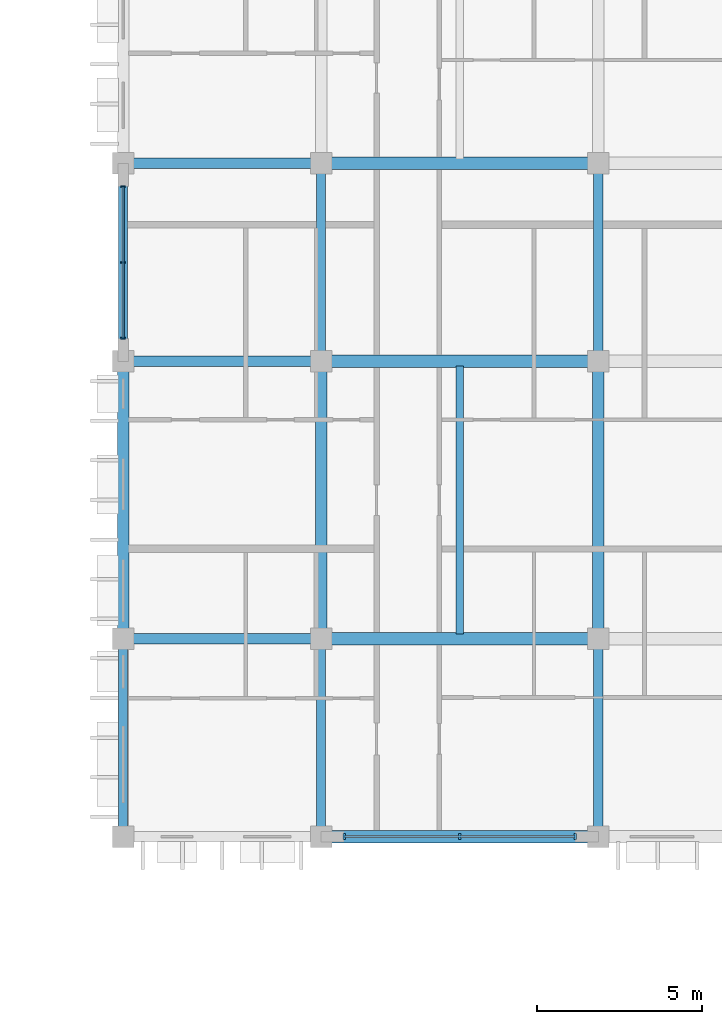
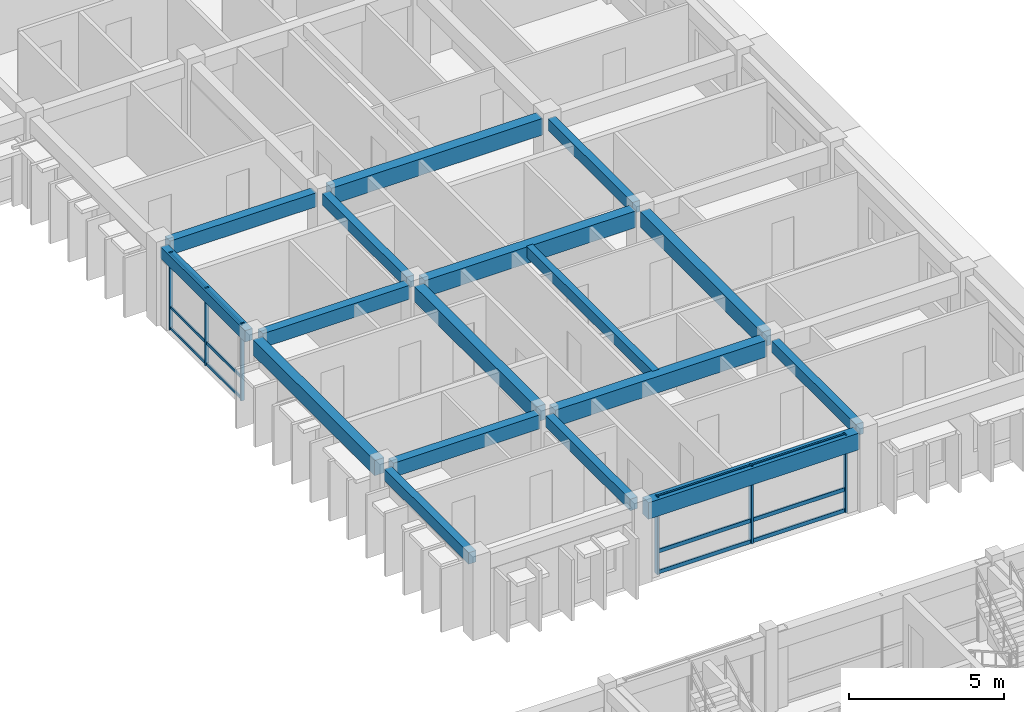
# One storey, part 16 of 76: 17 beams, 12 members, 2 elements without a shape of their own.
"""IFC4 building model written with IfcOpenShell, lengths in metres."""

import ifcopenshell
import ifcopenshell.guid

model = None  # the IFC model being written
_history = None  # IfcOwnerHistory: only IFC2X3 demands one
_inside = {}  # id of a spatial element -> (the spatial element, [elements in it])
_under = {}  # id of a project, library or spatial element -> (it, [spatial elements below it])
_declared = {}  # id of a project -> (the project, [libraries it declares])
_typed = {}  # id of a type object -> (the type object, [elements of that type])
_made_of = {}  # id of a material, layer set ... -> (it, [elements and type objects made of it])


def new_model(schema):
    """Start an empty IFC model of exactly this schema.

    Asked for "IFC4X3", IfcOpenShell would pick the latest addendum, in which some entities
    have other attributes; the version numbers below select the first issue.
    IFC2X3 requires an IfcOwnerHistory on every rooted entity: one is made here for all.
    """
    global model, _history
    if schema == "IFC4X3":
        model = ifcopenshell.file(schema_version=(4, 3, 0, 0))
    else:
        model = ifcopenshell.file(schema=schema)
    _inside.clear()
    _under.clear()
    _declared.clear()
    _typed.clear()
    _made_of.clear()
    _history = None
    if model.schema == "IFC2X3":
        org = make("IfcOrganization", Name="unknown")
        user = make(
            "IfcPersonAndOrganization",
            ThePerson=make("IfcPerson", FamilyName="unknown"),
            TheOrganization=org,
        )
        app = make(
            "IfcApplication",
            ApplicationDeveloper=org,
            Version="unknown",
            ApplicationFullName="unknown",
            ApplicationIdentifier="unknown",
        )
        _history = make(
            "IfcOwnerHistory",
            OwningUser=user,
            OwningApplication=app,
            ChangeAction="ADDED",
            CreationDate=0,
        )
    return model


def make(cls, **values):
    """One entity of the class cls with the attributes given. An attribute that is None is left unset."""
    return model.create_entity(
        cls, **{name: value for name, value in values.items() if value is not None}
    )


def rooted(cls, **values):
    """An entity with a GlobalId (a new one), such as an element, a storey or a relation."""
    return make(cls, GlobalId=ifcopenshell.guid.new(), OwnerHistory=_history, **values)


def si_unit(unit_type, name, prefix=None):
    """IfcSIUnit, for example si_unit("LENGTHUNIT", "METRE", prefix="MILLI")."""
    return make("IfcSIUnit", UnitType=unit_type, Prefix=prefix, Name=name)


def assignment(units):
    """IfcUnitAssignment: the units of a project."""
    return None if units is None else make("IfcUnitAssignment", Units=units)


def point(xyz):
    """IfcCartesianPoint."""
    return None if xyz is None else make("IfcCartesianPoint", Coordinates=xyz)


def direction(xyz):
    """IfcDirection."""
    return None if xyz is None else make("IfcDirection", DirectionRatios=xyz)


def frame(location, z_axis=None, x_axis=None):
    """IfcAxis2Placement3D, a coordinate frame: its origin and axes. An axis left out is left unset."""
    return make(
        "IfcAxis2Placement3D",
        Location=point(location),
        Axis=direction(z_axis),
        RefDirection=direction(x_axis),
    )


def frame_2d(location, x_axis=None):
    """IfcAxis2Placement2D, a coordinate frame in the plane: its origin and x axis."""
    return make(
        "IfcAxis2Placement2D", Location=point(location), RefDirection=direction(x_axis)
    )


def origin():
    """The frame at (0, 0, 0) with its axes left unset."""
    return frame((0.0, 0.0, 0.0))


def origin_2d():
    """The frame at (0, 0) in the plane with its x axis left unset."""
    return frame_2d((0.0, 0.0))


def place(relative_to, where):
    """IfcLocalPlacement: puts the frame where relative to a parent placement (None: the world)."""
    return make(
        "IfcLocalPlacement", PlacementRelTo=relative_to, RelativePlacement=where
    )


def context(
    kind, dimensions, precision=None, world=None, true_north=None, identifier=None
):
    """IfcGeometricRepresentationContext, for example the 3D "Model" context."""
    return make(
        "IfcGeometricRepresentationContext",
        ContextIdentifier=identifier,
        ContextType=kind,
        CoordinateSpaceDimension=dimensions,
        Precision=precision,
        WorldCoordinateSystem=world,
        TrueNorth=true_north,
    )


def subcontext(parent, identifier, kind, view, scale=None):
    """IfcGeometricRepresentationSubContext, for example "Body" below "Model"."""
    return make(
        "IfcGeometricRepresentationSubContext",
        ContextIdentifier=identifier,
        ContextType=kind,
        ParentContext=parent,
        TargetScale=scale,
        TargetView=view,
    )


def project(units=None, contexts=None):
    """IfcProject with its units and contexts."""
    return rooted(
        "IfcProject",
        Name="project",
        RepresentationContexts=contexts,
        UnitsInContext=assignment(units),
    )


def spatial(cls, under=None, at=None, **own):
    """A site, building, storey or space (cls), placed at a placement, below another one or the project."""
    s = rooted(cls, ObjectPlacement=at, **own)
    if under is not None:
        _under.setdefault(under.id(), (under, []))[1].append(s)
    return s


def profile(cls, at=None, kind="AREA", **sizes):
    """A parametric profile (cls). Its sizes go by their IFC names, for example OverallWidth=200.0."""
    return make(cls, ProfileType=kind, Position=at, **sizes)


def rectangle(**sizes):
    """IfcRectangleProfileDef."""
    return profile("IfcRectangleProfileDef", **sizes)


def extrude(swept, where, along, depth):
    """IfcExtrudedAreaSolid: the profile swept, set in the frame where, extruded along a direction by depth."""
    return make(
        "IfcExtrudedAreaSolid",
        SweptArea=swept,
        Position=where,
        ExtrudedDirection=direction(along),
        Depth=depth,
    )


def shape(context_of_items, identifier, shape_type, items):
    """IfcShapeRepresentation: the items that make up one representation, for example the "Body"."""
    return make(
        "IfcShapeRepresentation",
        ContextOfItems=context_of_items,
        RepresentationIdentifier=identifier,
        RepresentationType=shape_type,
        Items=items,
    )


def material(Name=None, Category=None):
    """IfcMaterial."""
    return make("IfcMaterial", Name=Name, Category=Category)


def material_profile(
    of_material, cross_section, Name=None, Category=None, Priority=None
):
    """IfcMaterialProfile: a cross section and its material."""
    return make(
        "IfcMaterialProfile",
        Name=Name,
        Material=of_material,
        Profile=cross_section,
        Priority=Priority,
        Category=Category,
    )


def profile_set(profiles, Name=None, composite=None):
    """IfcMaterialProfileSet."""
    return make(
        "IfcMaterialProfileSet",
        Name=Name,
        MaterialProfiles=profiles,
        CompositeProfile=composite,
    )


def made_of(thing, what):
    """Note that an element or type object is made of a material, layer set ...; save() writes the relation."""
    if what is not None:
        _made_of.setdefault(what.id(), (what, []))[1].append(thing)
    return thing


def type_object(cls, material=None, **own):
    """A type object (cls), such as IfcWallType, which elements share."""
    return made_of(rooted(cls, **own), material)


def element(
    cls,
    number,
    at=None,
    inside=None,
    cuts=None,
    type_object=None,
    material=None,
    context=None,
    identifier="Body",
    shape_type=None,
    held_by="IfcProductDefinitionShape",
    body=None,
    shapes=None,
    **own,
):
    """One element of the class cls, such as IfcWall. Its Tag is "e" and its number.

    at: its placement. inside: the storey or other place that contains it. cuts: it is an
    opening in that element (IfcRelVoidsElement). A single representation is given by context,
    identifier, shape_type and body (its items); several are given by shapes. held_by: the class
    of the entity that holds the representations. save() writes the other relations.
    """
    e = rooted(cls, Tag="e%d" % number, ObjectPlacement=at, **own)
    if body is not None:
        shapes = [shape(context, identifier, shape_type, body)]
    if shapes is not None:
        e.Representation = make(held_by, Representations=shapes)
    if inside is not None:
        _inside.setdefault(inside.id(), (inside, []))[1].append(e)
    if cuts is not None:
        rooted(
            "IfcRelVoidsElement", RelatingBuildingElement=cuts, RelatedOpeningElement=e
        )
    if type_object is not None:
        _typed.setdefault(type_object.id(), (type_object, []))[1].append(e)
    return made_of(e, material)


def aggregate(whole, parts):
    """IfcRelAggregates: a whole, such as a stair, and the parts it consists of."""
    return rooted("IfcRelAggregates", RelatingObject=whole, RelatedObjects=parts)


def save(model, path):
    """Write the relations noted so far, then the file.

    IfcRelAggregates (storeys below a building ...), IfcRelContainedInSpatialStructure (elements
    in a storey), IfcRelDefinesByType, IfcRelAssociatesMaterial and IfcRelDeclares: one each for
    every whole, place, type object, material and project.
    """
    for whole, parts in _under.values():
        aggregate(whole, parts)
    for where, things in _inside.values():
        rooted(
            "IfcRelContainedInSpatialStructure",
            RelatedElements=things,
            RelatingStructure=where,
        )
    for kind, things in _typed.values():
        rooted("IfcRelDefinesByType", RelatedObjects=things, RelatingType=kind)
    for what, things in _made_of.values():
        rooted("IfcRelAssociatesMaterial", RelatedObjects=things, RelatingMaterial=what)
    for by, libraries in _declared.values():
        rooted("IfcRelDeclares", RelatingContext=by, RelatedDefinitions=libraries)
    model.write(path)


model = new_model("IFC4")

# Units and contexts
model_context = context("Model", 3, precision=1e-05, world=origin(), true_north=direction((0.0, 1.0)))
body_context = subcontext(model_context, "Body", "Model", "MODEL_VIEW")
ifc_project = project(units=[si_unit("LENGTHUNIT", "METRE"), si_unit("AREAUNIT", "SQUARE_METRE"), si_unit("VOLUMEUNIT", "CUBIC_METRE"), si_unit("PLANEANGLEUNIT", "RADIAN"), si_unit("MASSUNIT", "GRAM", prefix="KILO"), si_unit("THERMODYNAMICTEMPERATUREUNIT", "KELVIN")], contexts=[model_context])

# Site, building, storey
site_placement = place(None, origin())
site = spatial("IfcSite", under=ifc_project, at=site_placement, CompositionType="ELEMENT")
building_placement = place(site_placement, origin())
building = spatial("IfcBuilding", under=site, at=building_placement, Name="Thalorik Housing Commons", CompositionType="ELEMENT")
storey_placement = place(building_placement, frame((0.0, 0.0, 18.0)))
storey = spatial("IfcBuildingStorey", under=building, at=storey_placement, Name="L05", CompositionType="ELEMENT", Elevation=18.0)

# Curtain wall, members
ifc_material_1 = material(Name="Anodised aluminium and solar-control low-E glass", Category="aluminium")
curtain_wall_type = type_object("IfcCurtainWallType", Name="ARC-CW-LOUNGE", PredefinedType="USERDEFINED", material=ifc_material_1)
curtain_wall_1_placement = place(storey_placement, origin())
curtain_wall_1 = element("IfcCurtainWall", 1, at=curtain_wall_1_placement, inside=storey, type_object=curtain_wall_type, Name="L05 Curtain Wall CW-RES-L05-B-096", ObjectType="CURTAIN WALL", PredefinedType="USERDEFINED")
ifc_material_2 = material(Name="Anodised aluminium 6063-T6", Category="aluminium")
ifc_material_profile_1 = material_profile(ifc_material_2, rectangle(XDim=0.054931640625, YDim=0.139892578125, at=origin_2d()), Name="ALU MUL 55x140", Category="aluminium")
ifc_profile_set_1 = profile_set([ifc_material_profile_1], Name="Anodised aluminium 6063-T6")
member_type_1 = type_object("IfcMemberType", Name="ARC-CW-MUL-55x140", PredefinedType="MULLION", material=ifc_profile_set_1)
member_1_placement = place(storey_placement, frame((152.39990234375, 100.10009765625, 0.0), z_axis=(0.0, 0.0, 1.0), x_axis=(0.0, -1.0, 0.0)))
member_1 = element("IfcMember", 2, at=member_1_placement, type_object=member_type_1, Name="CW-RES-L05-B-096 Mullion 1", PredefinedType="MULLION", context=body_context, shape_type="SweptSolid", body=[
    extrude(rectangle(XDim=0.054931640625, YDim=0.139892578125, at=origin_2d()), origin(), (0.0, 0.0, 1.0), 3.0400390625),
])
member_2_placement = place(storey_placement, frame((152.39990234375, 97.800048828125, 0.0), z_axis=(0.0, 0.0, 1.0), x_axis=(0.0, -1.0, 0.0)))
member_2 = element("IfcMember", 3, at=member_2_placement, type_object=member_type_1, Name="CW-RES-L05-B-096 Mullion 2", PredefinedType="MULLION", context=body_context, shape_type="SweptSolid", body=[
    extrude(rectangle(XDim=0.054931640625, YDim=0.139892578125, at=origin_2d()), origin(), (0.0, 0.0, 1.0), 3.0400390625),
])
member_3_placement = place(storey_placement, frame((152.39990234375, 95.5, 0.0), z_axis=(0.0, 0.0, 1.0), x_axis=(0.0, -1.0, 0.0)))
member_3 = element("IfcMember", 4, at=member_3_placement, type_object=member_type_1, Name="CW-RES-L05-B-096 Mullion 3", PredefinedType="MULLION", context=body_context, shape_type="SweptSolid", body=[
    extrude(rectangle(XDim=0.054931640625, YDim=0.139892578125, at=origin_2d()), origin(), (0.0, 0.0, 1.0), 3.0400390625),
])

curtain_wall_2_placement = place(storey_placement, origin())
curtain_wall_2 = element("IfcCurtainWall", 5, at=curtain_wall_2_placement, inside=storey, type_object=curtain_wall_type, Name="L05 Curtain Wall CW-RES-L05-B-097", ObjectType="CURTAIN WALL", PredefinedType="USERDEFINED")
ifc_material_profile_2 = material_profile(ifc_material_2, rectangle(XDim=0.06494140625, YDim=0.179931640625, at=origin_2d()), Name="ALU MUL 65x180", Category="aluminium")
ifc_profile_set_2 = profile_set([ifc_material_profile_2], Name="Anodised aluminium 6063-T6")
member_type_2 = type_object("IfcMemberType", Name="ARC-CW-MUL-65x180", PredefinedType="MULLION", material=ifc_profile_set_2)
member_4_placement = place(storey_placement, frame((159.10009765625, 80.39990234375, 0.0), z_axis=(0.0, 0.0, 1.0), x_axis=(1.0, 0.0, 0.0)))
member_4 = element("IfcMember", 6, at=member_4_placement, type_object=member_type_2, Name="CW-RES-L05-B-097 Mullion 1", PredefinedType="MULLION", context=body_context, shape_type="SweptSolid", body=[
    extrude(rectangle(XDim=0.06494140625, YDim=0.179931640625, at=origin_2d()), origin(), (0.0, 0.0, 1.0), 3.0400390625),
])
member_5_placement = place(storey_placement, frame((162.60009765625, 80.39990234375, 0.0), z_axis=(0.0, 0.0, 1.0), x_axis=(1.0, 0.0, 0.0)))
member_5 = element("IfcMember", 7, at=member_5_placement, type_object=member_type_2, Name="CW-RES-L05-B-097 Mullion 2", PredefinedType="MULLION", context=body_context, shape_type="SweptSolid", body=[
    extrude(rectangle(XDim=0.06494140625, YDim=0.179931640625, at=origin_2d()), origin(), (0.0, 0.0, 1.0), 3.0400390625),
])
member_6_placement = place(storey_placement, frame((166.10009765625, 80.39990234375, 0.0), z_axis=(0.0, 0.0, 1.0), x_axis=(1.0, 0.0, 0.0)))
member_6 = element("IfcMember", 8, at=member_6_placement, type_object=member_type_2, Name="CW-RES-L05-B-097 Mullion 3", PredefinedType="MULLION", context=body_context, shape_type="SweptSolid", body=[
    extrude(rectangle(XDim=0.06494140625, YDim=0.179931640625, at=origin_2d()), origin(), (0.0, 0.0, 1.0), 3.0400390625),
])

# Member
ifc_material_profile_3 = material_profile(ifc_material_2, rectangle(XDim=0.054931640625, YDim=0.10498046875, at=origin_2d()), Name="ALU TRN 55x105", Category="aluminium")
ifc_profile_set_3 = profile_set([ifc_material_profile_3], Name="Anodised aluminium 6063-T6")
member_type_3 = type_object("IfcMemberType", Name="ARC-CW-TRN-55x105", PredefinedType="USERDEFINED", material=ifc_profile_set_3)
member_7_placement = place(storey_placement, frame((152.39990234375, 100.10009765625, 0.054931640625), z_axis=(0.0, -1.0, 0.0), x_axis=(1.0, 0.0, 0.0)))
member_7 = element("IfcMember", 9, at=member_7_placement, type_object=member_type_3, Name="CW-RES-L05-B-096 Transom 1", ObjectType="TRANSOM", PredefinedType="USERDEFINED", context=body_context, shape_type="SweptSolid", body=[
    extrude(rectangle(XDim=0.054931640625, YDim=0.10498046875, at=origin_2d()), origin(), (0.0, 0.0, 1.0), 4.60009765625),
])

member_8_placement = place(storey_placement, frame((152.39990234375, 100.10009765625, 0.8798828125), z_axis=(0.0, -1.0, 0.0), x_axis=(1.0, 0.0, 0.0)))
member_8 = element("IfcMember", 10, at=member_8_placement, type_object=member_type_3, Name="CW-RES-L05-B-096 Transom 2", ObjectType="TRANSOM", PredefinedType="USERDEFINED", context=body_context, shape_type="SweptSolid", body=[
    extrude(rectangle(XDim=0.054931640625, YDim=0.10498046875, at=origin_2d()), origin(), (0.0, 0.0, 1.0), 4.60009765625),
])

member_9_placement = place(storey_placement, frame((152.39990234375, 100.10009765625, 2.985107421875), z_axis=(0.0, -1.0, 0.0), x_axis=(1.0, 0.0, 0.0)))
member_9 = element("IfcMember", 11, at=member_9_placement, type_object=member_type_3, Name="CW-RES-L05-B-096 Transom 3", ObjectType="TRANSOM", PredefinedType="USERDEFINED", context=body_context, shape_type="SweptSolid", body=[
    extrude(rectangle(XDim=0.054931640625, YDim=0.10498046875, at=origin_2d()), origin(), (0.0, 0.0, 1.0), 4.60009765625),
])

aggregate(curtain_wall_1, [member_1, member_2, member_3, member_7, member_8, member_9])

ifc_material_profile_4 = material_profile(ifc_material_2, rectangle(XDim=0.06494140625, YDim=0.14990234375, at=origin_2d()), Name="ALU TRN 65x150", Category="aluminium")
ifc_profile_set_4 = profile_set([ifc_material_profile_4], Name="Anodised aluminium 6063-T6")
member_type_4 = type_object("IfcMemberType", Name="ARC-CW-TRN-65x150", PredefinedType="USERDEFINED", material=ifc_profile_set_4)
member_10_placement = place(storey_placement, frame((159.10009765625, 80.39990234375, 0.054931640625), z_axis=(1.0, 0.0, 0.0), x_axis=(0.0, 1.0, 0.0)))
member_10 = element("IfcMember", 12, at=member_10_placement, type_object=member_type_4, Name="CW-RES-L05-B-097 Transom 1", ObjectType="TRANSOM", PredefinedType="USERDEFINED", context=body_context, shape_type="SweptSolid", body=[
    extrude(rectangle(XDim=0.06494140625, YDim=0.14990234375, at=origin_2d()), origin(), (0.0, 0.0, 1.0), 7.0),
])

member_11_placement = place(storey_placement, frame((159.10009765625, 80.39990234375, 0.8798828125), z_axis=(1.0, 0.0, 0.0), x_axis=(0.0, 1.0, 0.0)))
member_11 = element("IfcMember", 13, at=member_11_placement, type_object=member_type_4, Name="CW-RES-L05-B-097 Transom 2", ObjectType="TRANSOM", PredefinedType="USERDEFINED", context=body_context, shape_type="SweptSolid", body=[
    extrude(rectangle(XDim=0.06494140625, YDim=0.14990234375, at=origin_2d()), origin(), (0.0, 0.0, 1.0), 7.0),
])

member_12_placement = place(storey_placement, frame((159.10009765625, 80.39990234375, 2.985107421875), z_axis=(1.0, 0.0, 0.0), x_axis=(0.0, 1.0, 0.0)))
member_12 = element("IfcMember", 14, at=member_12_placement, type_object=member_type_4, Name="CW-RES-L05-B-097 Transom 3", ObjectType="TRANSOM", PredefinedType="USERDEFINED", context=body_context, shape_type="SweptSolid", body=[
    extrude(rectangle(XDim=0.06494140625, YDim=0.14990234375, at=origin_2d()), origin(), (0.0, 0.0, 1.0), 7.0),
])

aggregate(curtain_wall_2, [member_4, member_5, member_6, member_10, member_11, member_12])

# Beams
ifc_material_3 = material(Name="Precast concrete C40/50", Category="concrete")
ifc_material_profile_5 = material_profile(ifc_material_3, rectangle(XDim=0.280029296875, YDim=0.449951171875, at=origin_2d()), Name="PC 280x450", Category="concrete")
ifc_profile_set_5 = profile_set([ifc_material_profile_5], Name="Precast concrete C40/50")
beam_type_1 = type_object("IfcBeamType", Name="STR-BM-PC280x450", PredefinedType="BEAM", material=ifc_profile_set_5)
for number, where, z_axis, x_axis, name in (
    (15, (152.39990234375, 80.675048828125, 2.81494140625), (0.0, 1.0, 0.0), (-1.0, 0.0, 0.0), "L05 Beam B-450"),
    (16, (152.39990234375, 95.074951171875, 2.81494140625), (0.0, 1.0, 0.0), (-1.0, 0.0, 0.0), "L05 Beam B-450"),
    (17, (158.39990234375, 80.675048828125, 2.81494140625), (0.0, 1.0, 0.0), (-1.0, 0.0, 0.0), "L05 Beam B-450"),
    (18, (158.39990234375, 95.074951171875, 2.81494140625), (0.0, 1.0, 0.0), (-1.0, 0.0, 0.0), "L05 Beam B-450"),
    (19, (166.800048828125, 80.675048828125, 2.81494140625), (0.0, 1.0, 0.0), (-1.0, 0.0, 0.0), "L05 Beam B-450"),
    (20, (166.800048828125, 95.074951171875, 2.81494140625), (0.0, 1.0, 0.0), (-1.0, 0.0, 0.0), "L05 Beam B-450"),
):
    element("IfcBeam", number, at=place(storey_placement, frame(where, z_axis=z_axis, x_axis=x_axis)), inside=storey, type_object=beam_type_1, Name=name, PredefinedType="BEAM", context=body_context, shape_type="SweptSolid", body=[
        extrude(rectangle(XDim=0.280029296875, YDim=0.449951171875, at=origin_2d()), origin(), (0.0, 0.0, 1.0), 5.449951171875),
    ])
ifc_material_profile_6 = material_profile(ifc_material_3, rectangle(XDim=0.320068359375, YDim=0.550048828125, at=origin_2d()), Name="PC 320x550", Category="concrete")
ifc_profile_set_6 = profile_set([ifc_material_profile_6], Name="Precast concrete C40/50")
beam_type_2 = type_object("IfcBeamType", Name="STR-BM-PC320x550", PredefinedType="BEAM", material=ifc_profile_set_6)
for number, where, z_axis, x_axis, name in (
    (21, (152.675048828125, 86.39990234375, 2.764892578125), (1.0, 0.0, 0.0), (0.0, 1.0, 0.0), "L05 Beam B-550"),
    (22, (152.675048828125, 94.800048828125, 2.764892578125), (1.0, 0.0, 0.0), (0.0, 1.0, 0.0), "L05 Beam B-550"),
    (23, (152.675048828125, 100.800048828125, 2.764892578125), (1.0, 0.0, 0.0), (0.0, 1.0, 0.0), "L05 Beam B-550"),
):
    element("IfcBeam", number, at=place(storey_placement, frame(where, z_axis=z_axis, x_axis=x_axis)), inside=storey, type_object=beam_type_2, Name=name, PredefinedType="BEAM", context=body_context, shape_type="SweptSolid", body=[
        extrude(rectangle(XDim=0.320068359375, YDim=0.550048828125, at=origin_2d()), origin(), (0.0, 0.0, 1.0), 5.449951171875),
    ])
ifc_material_profile_7 = material_profile(ifc_material_3, rectangle(XDim=0.35009765625, YDim=0.60009765625, at=origin_2d()), Name="PC 350x600", Category="concrete")
ifc_profile_set_7 = profile_set([ifc_material_profile_7], Name="Precast concrete C40/50")
beam_type_3 = type_object("IfcBeamType", Name="STR-BM-PC350x600", PredefinedType="BEAM", material=ifc_profile_set_7)
for number, where, z_axis, x_axis, name in (
    (24, (152.39990234375, 86.675048828125, 2.739990234375), (0.0, 1.0, 0.0), (-1.0, 0.0, 0.0), "L05 Beam B-600"),
    (25, (158.39990234375, 86.675048828125, 2.739990234375), (0.0, 1.0, 0.0), (-1.0, 0.0, 0.0), "L05 Beam B-600"),
    (26, (166.800048828125, 86.675048828125, 2.739990234375), (0.0, 1.0, 0.0), (-1.0, 0.0, 0.0), "L05 Beam B-600"),
):
    element("IfcBeam", number, at=place(storey_placement, frame(where, z_axis=z_axis, x_axis=x_axis)), inside=storey, type_object=beam_type_3, Name=name, PredefinedType="BEAM", context=body_context, shape_type="SweptSolid", body=[
        extrude(rectangle(XDim=0.35009765625, YDim=0.60009765625, at=origin_2d()), origin(), (0.0, 0.0, 1.0), 7.849853515625),
    ])
ifc_material_profile_8 = material_profile(ifc_material_3, rectangle(XDim=0.3798828125, YDim=0.64990234375, at=origin_2d()), Name="PC 380x650", Category="concrete")
ifc_profile_set_8 = profile_set([ifc_material_profile_8], Name="Precast concrete C40/50")
beam_type_4 = type_object("IfcBeamType", Name="STR-BM-PC380x650", PredefinedType="BEAM", material=ifc_profile_set_8)
for number, where, z_axis, x_axis, name in (
    (27, (158.675048828125, 80.39990234375, 2.715087890625), (1.0, 0.0, 0.0), (0.0, 1.0, 0.0), "L05 Beam B-650"),
    (28, (158.675048828125, 86.39990234375, 2.715087890625), (1.0, 0.0, 0.0), (0.0, 1.0, 0.0), "L05 Beam B-650"),
    (29, (158.675048828125, 94.800048828125, 2.715087890625), (1.0, 0.0, 0.0), (0.0, 1.0, 0.0), "L05 Beam B-650"),
    (30, (158.675048828125, 100.800048828125, 2.715087890625), (1.0, 0.0, 0.0), (0.0, 1.0, 0.0), "L05 Beam B-650"),
):
    element("IfcBeam", number, at=place(storey_placement, frame(where, z_axis=z_axis, x_axis=x_axis)), inside=storey, type_object=beam_type_4, Name=name, PredefinedType="BEAM", context=body_context, shape_type="SweptSolid", body=[
        extrude(rectangle(XDim=0.3798828125, YDim=0.64990234375, at=origin_2d()), origin(), (0.0, 0.0, 1.0), 7.849853515625),
    ])
ifc_material_profile_9 = material_profile(ifc_material_3, rectangle(XDim=0.239990234375, YDim=0.43994140625, at=origin_2d()), Name="PC JST 240x440", Category="concrete")
ifc_profile_set_9 = profile_set([ifc_material_profile_9], Name="Precast concrete C40/50")
beam_type_5 = type_object("IfcBeamType", Name="STR-JST-PC240x440", PredefinedType="JOIST", material=ifc_profile_set_9)
beam_placement = place(storey_placement, frame((162.60009765625, 86.5400390625, 2.820068359375), z_axis=(0.0, 1.0, 0.0), x_axis=(-1.0, 0.0, 0.0)))
element("IfcBeam", 31, at=beam_placement, inside=storey, type_object=beam_type_5, Name="L05 Beam J-440", PredefinedType="JOIST", context=body_context, shape_type="SweptSolid", body=[
    extrude(rectangle(XDim=0.239990234375, YDim=0.43994140625, at=origin_2d()), origin(), (0.0, 0.0, 1.0), 8.119873046875),
])

save(model, "model.ifc")
